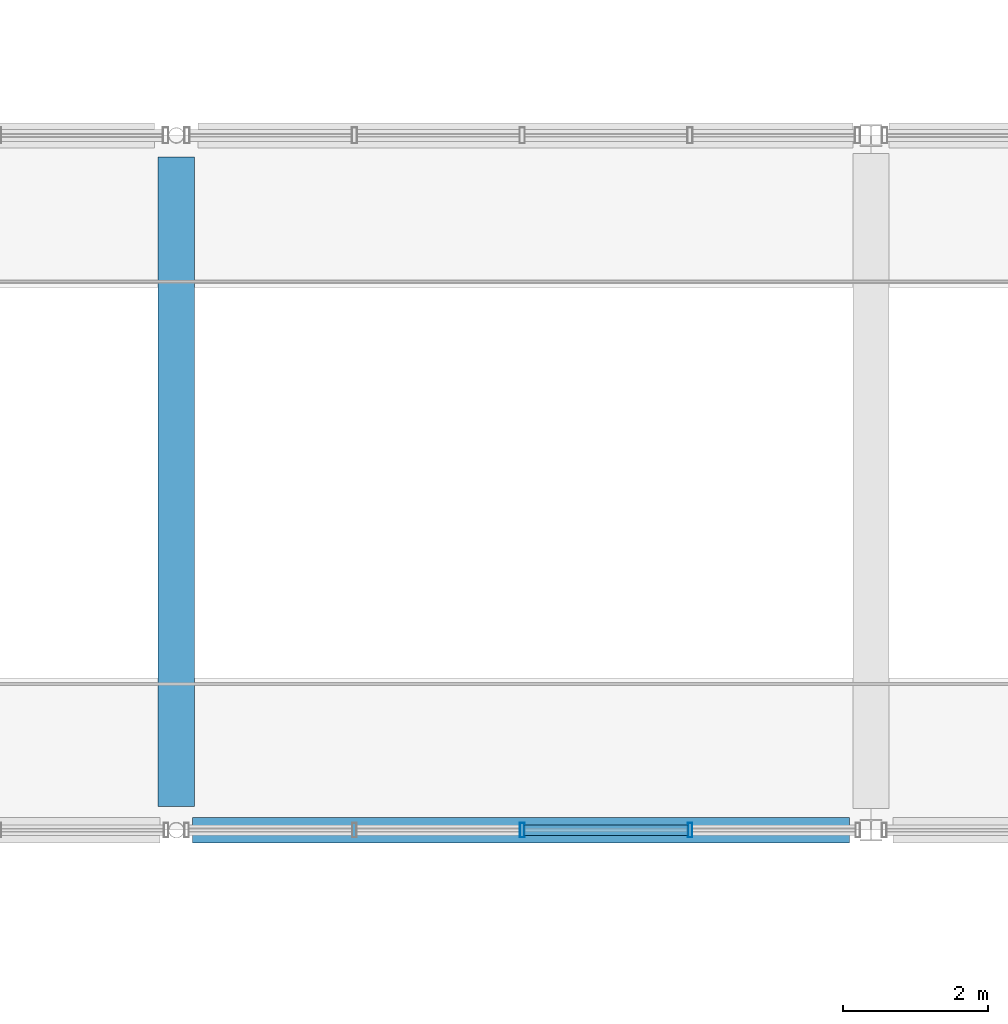
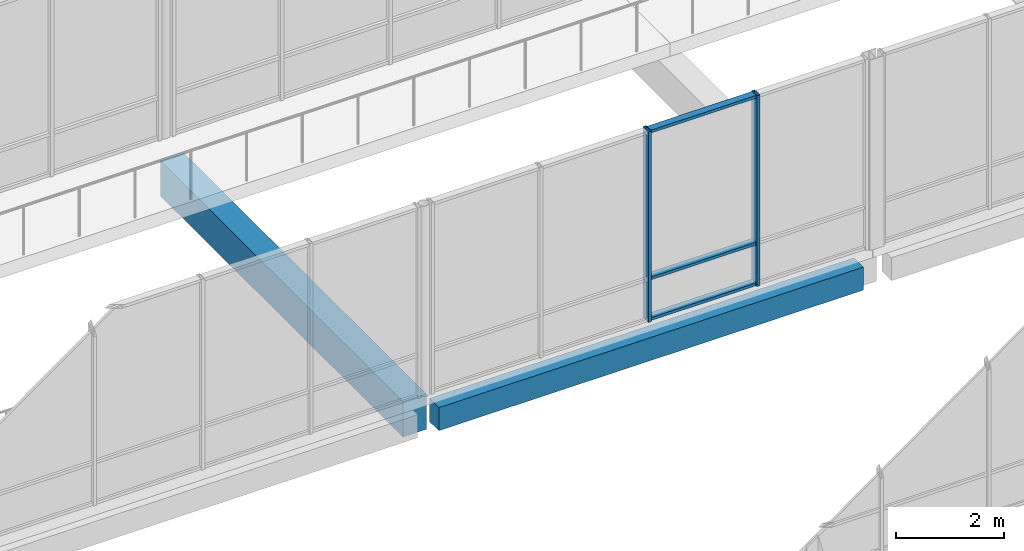
# One storey, part 67 of 146: 5 members, 2 beams, 1 element without a shape of its own.
"""IFC4 building model written with IfcOpenShell, lengths in metres."""

from ifc_helpers import new_model, si_unit, direction, frame, origin, origin_2d, place, context, subcontext, project, spatial, rectangle, hollow_rectangle, extrude, material, material_profile, profile_set, type_object, element, aggregate, save


model = new_model("IFC4")

# Units and contexts
model_context = context("Model", 3, precision=1e-05, world=origin(), true_north=direction((0.0, 1.0)))
body_context = subcontext(model_context, "Body", "Model", "MODEL_VIEW")
ifc_project = project(units=[si_unit("LENGTHUNIT", "METRE"), si_unit("AREAUNIT", "SQUARE_METRE"), si_unit("VOLUMEUNIT", "CUBIC_METRE"), si_unit("PLANEANGLEUNIT", "RADIAN"), si_unit("MASSUNIT", "GRAM", prefix="KILO")], contexts=[model_context])

# Site, building, storey
site_placement = place(None, origin())
site = spatial("IfcSite", under=ifc_project, at=site_placement, CompositionType="ELEMENT")
building_placement = place(site_placement, origin())
building = spatial("IfcBuilding", under=site, at=building_placement, Name="Hawrajan Terrace Health Centre", CompositionType="ELEMENT")
storey_placement = place(building_placement, frame((0.0, 0.0, 4.5)))
storey = spatial("IfcBuildingStorey", under=building, at=storey_placement, Name="L01", CompositionType="ELEMENT", Elevation=4.5)

# Curtain wall, members
ifc_material_1 = material(Name="Anodized bronze aluminium and low-E solar glazing", Category="aluminium")
curtain_wall_type = type_object("IfcCurtainWallType", Name="CW_Court_SeriesA1", PredefinedType="USERDEFINED", material=ifc_material_1)
curtain_wall_placement = place(storey_placement, origin())
curtain_wall = element("IfcCurtainWall", 1, at=curtain_wall_placement, inside=storey, type_object=curtain_wall_type, Name="Curtain wall CW-L01-097", ObjectType="UNITISED CURTAIN WALL", PredefinedType="USERDEFINED")
ifc_material_2 = material(Name="Anodized bronze aluminium 6063-T6", Category="aluminium")
ifc_material_profile_1 = material_profile(ifc_material_2, hollow_rectangle(XDim=0.06494140625, YDim=0.199951171875, WallThickness=0.00439453125, at=origin_2d()), Name="CW MUL 65x200")
ifc_profile_set_1 = profile_set([ifc_material_profile_1], Name="Anodized bronze aluminium 6063-T6")
member_type_1 = type_object("IfcMemberType", Name="CWMullion_65x200", PredefinedType="MULLION", material=ifc_profile_set_1)
member_1_placement = place(storey_placement, frame((95.77978515625, 27.199951171875, -0.0048828125), z_axis=(0.0, 0.0, 1.0), x_axis=(1.0, 0.0, 0.0)))
member_1 = element("IfcMember", 2, at=member_1_placement, type_object=member_type_1, Name="Mullion CW-L01-097-M3", PredefinedType="MULLION", context=body_context, shape_type="SweptSolid", body=[
    extrude(hollow_rectangle(XDim=0.06494140625, YDim=0.199951171875, WallThickness=0.00439453125, at=origin_2d()), origin(), (0.0, 0.0, 1.0), 4.309814453125),
])
member_2_placement = place(storey_placement, frame((98.0986328125, 27.199951171875, -0.0048828125), z_axis=(0.0, 0.0, 1.0), x_axis=(1.0, 0.0, 0.0)))
member_2 = element("IfcMember", 3, at=member_2_placement, type_object=member_type_1, Name="Mullion CW-L01-097-M4", PredefinedType="MULLION", context=body_context, shape_type="SweptSolid", body=[
    extrude(hollow_rectangle(XDim=0.06494140625, YDim=0.199951171875, WallThickness=0.00439453125, at=origin_2d()), origin(), (0.0, 0.0, 1.0), 4.309814453125),
])
ifc_material_profile_2 = material_profile(ifc_material_2, hollow_rectangle(XDim=0.06494140625, YDim=0.14990234375, WallThickness=0.00390625, at=origin_2d()), Name="CW TRN 65x150")
ifc_profile_set_2 = profile_set([ifc_material_profile_2], Name="Anodized bronze aluminium 6063-T6")
member_type_2 = type_object("IfcMemberType", Name="CWTransom_65x150", PredefinedType="USERDEFINED", material=ifc_profile_set_2)
member_3_placement = place(storey_placement, frame((95.806396484375, 27.199951171875, 0.032470703125), z_axis=(1.0, 0.0, 0.0), x_axis=(0.0, 0.0, 1.0)))
member_3 = element("IfcMember", 4, at=member_3_placement, type_object=member_type_2, Name="Transom CW-L01-097-T3-1", ObjectType="TRANSOM", PredefinedType="USERDEFINED", context=body_context, shape_type="SweptSolid", body=[
    extrude(hollow_rectangle(XDim=0.06494140625, YDim=0.14990234375, WallThickness=0.00390625, at=origin_2d()), origin(), (0.0, 0.0, 1.0), 2.265625),
])
member_4_placement = place(storey_placement, frame((95.806396484375, 27.199951171875, 0.949951171875), z_axis=(1.0, 0.0, 0.0), x_axis=(0.0, 0.0, 1.0)))
member_4 = element("IfcMember", 5, at=member_4_placement, type_object=member_type_2, Name="Transom CW-L01-097-T3-2", ObjectType="TRANSOM", PredefinedType="USERDEFINED", context=body_context, shape_type="SweptSolid", body=[
    extrude(hollow_rectangle(XDim=0.06494140625, YDim=0.14990234375, WallThickness=0.00390625, at=origin_2d()), origin(), (0.0, 0.0, 1.0), 2.265625),
])
member_5_placement = place(storey_placement, frame((95.806396484375, 27.199951171875, 4.267578125), z_axis=(1.0, 0.0, 0.0), x_axis=(0.0, 0.0, 1.0)))
member_5 = element("IfcMember", 6, at=member_5_placement, type_object=member_type_2, Name="Transom CW-L01-097-T3-3", ObjectType="TRANSOM", PredefinedType="USERDEFINED", context=body_context, shape_type="SweptSolid", body=[
    extrude(hollow_rectangle(XDim=0.06494140625, YDim=0.14990234375, WallThickness=0.00390625, at=origin_2d()), origin(), (0.0, 0.0, 1.0), 2.265625),
])
aggregate(curtain_wall, [member_1, member_2, member_3, member_4, member_5])

# Beams
ifc_material_3 = material(Name="Concrete C40/50", Category="concrete")
ifc_material_profile_3 = material_profile(ifc_material_3, rectangle(XDim=0.5, YDim=0.800048828125, at=origin_2d()), Name="RC BM 500x800")
ifc_profile_set_3 = profile_set([ifc_material_profile_3], Name="Concrete C40/50")
beam_type_1 = type_object("IfcBeamType", Name="RCGirder_500x800", PredefinedType="BEAM", material=ifc_profile_set_3)
beam_1_placement = place(storey_placement, frame((91.0, 27.52490234375, -0.699951171875), z_axis=(0.0, 1.0, 0.0), x_axis=(-1.0, 0.0, 0.0)))
element("IfcBeam", 7, at=beam_1_placement, inside=storey, type_object=beam_type_1, Name="Beam BM-Y-L01-C-X12-4", PredefinedType="BEAM", context=body_context, shape_type="SweptSolid", body=[
    extrude(rectangle(XDim=0.5, YDim=0.800048828125, at=origin_2d()), origin(), (0.0, 0.0, 1.0), 8.97509765625),
])
ifc_material_profile_4 = material_profile(ifc_material_3, rectangle(XDim=0.35009765625, YDim=0.52001953125, at=origin_2d()), Name="RC SP 350x520")
ifc_profile_set_4 = profile_set([ifc_material_profile_4], Name="Concrete C40/50")
beam_type_2 = type_object("IfcBeamType", Name="RCSpandrel_350x520", PredefinedType="SPANDREL", material=ifc_profile_set_4)
beam_2_placement = place(storey_placement, frame((91.22509765625, 27.199951171875, -0.56005859375), z_axis=(1.0, 0.0, 0.0), x_axis=(0.0, 1.0, 0.0)))
element("IfcBeam", 8, at=beam_2_placement, inside=storey, type_object=beam_type_2, Name="Beam BM-X-L01-C-12-Y4", PredefinedType="SPANDREL", context=body_context, shape_type="SweptSolid", body=[
    extrude(rectangle(XDim=0.35009765625, YDim=0.52001953125, at=origin_2d()), origin(), (0.0, 0.0, 1.0), 9.074951171875),
])

save(model, "model.ifc")
